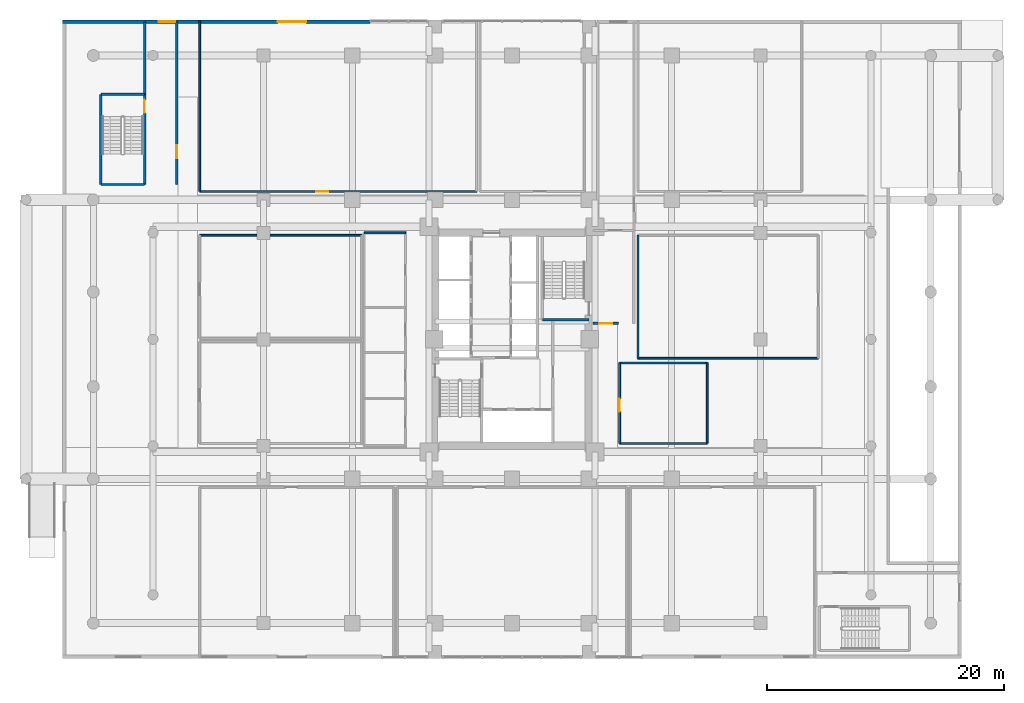
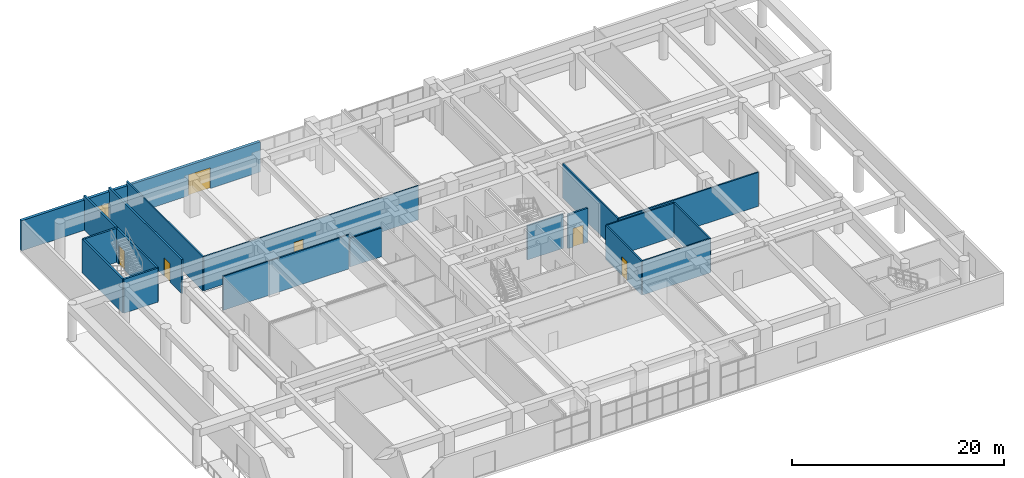
# One storey, part 15 of 24: 19 walls, 7 doors, 7 openings.
"""IFC4 building model written with IfcOpenShell, lengths in metres."""

from ifc_helpers import new_model, si_unit, direction, frame, frame_2d, origin, place, context, subcontext, project, spatial, rectangle, extrude, source, transform, mapped, material, layer, layer_set, type_object, element, fill, save


model = new_model("IFC4")

# Units and contexts
model_context = context("Model", 3, precision=1e-05, world=origin(), true_north=direction((0.0, 1.0)))
body_context = subcontext(model_context, "Body", "Model", "MODEL_VIEW")
ifc_project = project(units=[si_unit("LENGTHUNIT", "METRE"), si_unit("AREAUNIT", "SQUARE_METRE"), si_unit("VOLUMEUNIT", "CUBIC_METRE"), si_unit("PLANEANGLEUNIT", "RADIAN"), si_unit("MASSUNIT", "GRAM", prefix="KILO")], contexts=[model_context])

# Site, building, storey
site_placement = place(None, origin())
site = spatial("IfcSite", under=ifc_project, at=site_placement, CompositionType="ELEMENT")
building_placement = place(site_placement, origin())
building = spatial("IfcBuilding", under=site, at=building_placement, Name="Saelheon Loggia Tower", CompositionType="ELEMENT")
storey_placement = place(building_placement, origin())
storey = spatial("IfcBuildingStorey", under=building, at=storey_placement, Name="L00", CompositionType="ELEMENT", Elevation=0.0)

# Wall, openings, doors
ifc_material_1 = material(Name="Architectural Precast Concrete C40/50", Category="concrete")
ifc_layer_1 = layer(ifc_material_1, 0.300048828125)
ifc_layer_set_1 = layer_set([ifc_layer_1], Name="Architectural Precast Concrete C40/50")
wall_type_1 = type_object("IfcWallType", Name="Wall_Ext_Podium_300", PredefinedType="SOLIDWALL", material=ifc_layer_set_1)
wall_1_placement = place(storey_placement, frame((0.0, 53.85009765625, 0.0), z_axis=(0.0, 0.0, 1.0), x_axis=(1.0, 0.0, 0.0)))
wall_1 = element("IfcWall", 1, at=wall_1_placement, inside=storey, type_object=wall_type_1, Name="L00 Podium North-West Precast Wall", PredefinedType="SOLIDWALL", context=body_context, shape_type="SweptSolid", body=[
    extrude(rectangle(XDim=26.0, YDim=0.300048828125, at=frame_2d((13.0, 0.0))), origin(), (0.0, 0.0, 1.0), 3.47998046875),
])
opening_1_placement = place(wall_1_placement, frame((18.199951171875, 0.0, 0.0)))
opening_1 = element("IfcOpeningElement", 2, at=opening_1_placement, cuts=wall_1, Name="Opening DME-1", PredefinedType="OPENING", context=body_context, shape_type="SweptSolid", body=[
    extrude(rectangle(XDim=2.39990234375, YDim=2.39990234375, at=frame_2d((1.199951171875, 1.199951171875))), frame((0.0, 0.162109375, 0.0), z_axis=(0.0, -1.0, 0.0), x_axis=(1.0, 0.0, 0.0)), (0.0, 0.0, 1.0), 0.323974609375),
])
opening_2_placement = place(wall_1_placement, frame((8.1201171875, 0.0, 0.0)))
opening_2 = element("IfcOpeningElement", 3, at=opening_2_placement, cuts=wall_1, Name="Opening DEX-1", PredefinedType="OPENING", context=body_context, shape_type="SweptSolid", body=[
    extrude(rectangle(XDim=1.39990234375, YDim=2.199951171875, at=frame_2d((0.699951171875, 1.10009765625))), frame((0.0, 0.162109375, 0.0), z_axis=(0.0, -1.0, 0.0), x_axis=(1.0, 0.0, 0.0)), (0.0, 0.0, 1.0), 0.323974609375),
])
ifc_material_2 = material(Name="Anodised Aluminium Entrance Door", Category="aluminium")
door_type_1 = type_object("IfcDoorType", Name="Door_MainEntry_Double_2400", OperationType="DOUBLE_SWING_LEFT", PredefinedType="DOOR", material=ifc_material_2)
shared_shape_1 = source(origin(), body_context, "Body", "SweptSolid", [
    extrude(rectangle(XDim=2.39990234375, YDim=2.39990234375, at=frame_2d((1.199951171875, 1.199951171875))), frame((0.0, 0.02490234375, 0.0), z_axis=(0.0, -1.0, 0.0), x_axis=(1.0, 0.0, 0.0)), (0.0, 0.0, 1.0), 0.050048828125),
])
door_1_placement = place(opening_1_placement, origin())
door_1 = element("IfcDoor", 4, at=door_1_placement, inside=storey, type_object=door_type_1, Name="Public Housing Main Entrance", OperationType="DOUBLE_SWING_LEFT", OverallHeight=2.39990234375, OverallWidth=2.39990234375, PredefinedType="DOOR", context=body_context, shape_type="MappedRepresentation", body=[
    mapped(shared_shape_1, transform((0.0, 0.0, 0.0), scale=1.0)),
])
fill(opening_1, door_1)
ifc_material_3 = material(Name="Galvanised Steel Exit Door", Category="steel")
door_type_2 = type_object("IfcDoorType", Name="Door_ExitDischarge_1400", OperationType="NOTDEFINED", PredefinedType="DOOR", material=ifc_material_3)
shared_shape_2 = source(origin(), body_context, "Body", "SweptSolid", [
    extrude(rectangle(XDim=1.39990234375, YDim=2.199951171875, at=frame_2d((0.699951171875, 1.10009765625))), frame((0.0, 0.02490234375, 0.0), z_axis=(0.0, -1.0, 0.0), x_axis=(1.0, 0.0, 0.0)), (0.0, 0.0, 1.0), 0.050048828125),
])
door_2_placement = place(opening_2_placement, origin())
door_2 = element("IfcDoor", 5, at=door_2_placement, inside=storey, type_object=door_type_2, Name="Stair ST3 Final Street Exit Door", OperationType="SINGLE_SWING_LEFT", OverallHeight=2.199951171875, OverallWidth=1.39990234375, PredefinedType="DOOR", context=body_context, shape_type="MappedRepresentation", body=[
    mapped(shared_shape_2, transform((0.0, 0.0, 0.0), scale=1.0)),
])
fill(opening_2, door_2)

# Walls
ifc_material_4 = material(Name="Lightweight Autoclaved Aerated Concrete Block and Acoustic Gypsum", Category="concrete")
ifc_layer_2 = layer(ifc_material_4, 0.14990234375)
ifc_layer_set_2 = layer_set([ifc_layer_2], Name="Lightweight Autoclaved Aerated Concrete Block and Acoustic Gypsum")
wall_type_2 = type_object("IfcWallType", Name="Wall_Part_150", PredefinedType="PARTITIONING", material=ifc_layer_set_2)
wall_2_placement = place(storey_placement, frame((25.5, 36.0, 0.0), z_axis=(0.0, 0.0, 1.0), x_axis=(1.0, 0.0, 0.0)))
element("IfcWall", 6, at=wall_2_placement, inside=storey, type_object=wall_type_2, Name="PW-L00-WCS-N", PredefinedType="PARTITIONING", context=body_context, shape_type="SweptSolid", body=[
    extrude(rectangle(XDim=3.5, YDim=0.14990234375, at=frame_2d((1.75, 0.0))), origin(), (0.0, 0.0, 1.0), 3.2900390625),
])
for number, where, z_axis, x_axis, name in (
    (7, (47.10009765625, 18.199951171875, 0.0), (0.0, 0.0, 1.0), (1.0, 0.0, 0.0), "PW-L00-FCR-S"),
    (8, (47.10009765625, 25.0, 0.0), (0.0, 0.0, 1.0), (1.0, 0.0, 0.0), "PW-L00-FCR-N"),
):
    element("IfcWall", number, at=place(storey_placement, frame(where, z_axis=z_axis, x_axis=x_axis)), inside=storey, type_object=wall_type_2, Name=name, PredefinedType="PARTITIONING", context=body_context, shape_type="SweptSolid", body=[
        extrude(rectangle(XDim=7.39990234375, YDim=0.14990234375, at=frame_2d((3.699951171875, 0.0))), origin(), (0.0, 0.0, 1.0), 3.919921875),
    ])

# Wall, opening, door
wall_3_placement = place(storey_placement, frame((47.10009765625, 18.199951171875, 0.0), z_axis=(0.0, 0.0, 1.0), x_axis=(0.0, 1.0, 0.0)))
wall_3 = element("IfcWall", 9, at=wall_3_placement, inside=storey, type_object=wall_type_2, Name="PW-L00-FCR-W", PredefinedType="PARTITIONING", context=body_context, shape_type="SweptSolid", body=[
    extrude(rectangle(XDim=6.800048828125, YDim=0.14990234375, at=frame_2d((3.39990234375, 0.0))), origin(), (0.0, 0.0, 1.0), 3.919921875),
])
opening_3_placement = place(wall_3_placement, frame((2.69384765625, 0.0, 0.0)))
opening_3 = element("IfcOpeningElement", 10, at=opening_3_placement, cuts=wall_3, Name="Opening D-FD2", PredefinedType="OPENING", context=body_context, shape_type="SweptSolid", body=[
    extrude(rectangle(XDim=1.10009765625, YDim=2.14990234375, at=frame_2d((0.550048828125, 1.074951171875))), frame((0.0, 0.0869140625, 0.0), z_axis=(0.0, -1.0, 0.0), x_axis=(1.0, 0.0, 0.0)), (0.0, 0.0, 1.0), 0.173828125),
])
ifc_material_5 = material(Name="Galvanised Steel Fire Door", Category="steel")
door_type_3 = type_object("IfcDoorType", Name="Door_Fire_FD60_1100", OperationType="NOTDEFINED", PredefinedType="DOOR", material=ifc_material_5)
shared_shape_3 = source(origin(), body_context, "Body", "SweptSolid", [
    extrude(rectangle(XDim=1.10009765625, YDim=2.14990234375, at=frame_2d((0.550048828125, 1.074951171875))), frame((0.0, 0.02490234375, 0.0), z_axis=(0.0, -1.0, 0.0), x_axis=(1.0, 0.0, 0.0)), (0.0, 0.0, 1.0), 0.050048828125),
])
door_3_placement = place(opening_3_placement, origin())
door_3 = element("IfcDoor", 11, at=door_3_placement, inside=storey, type_object=door_type_3, Name="L00 Fire Command Centre and Disaster Room Door", OperationType="SINGLE_SWING_LEFT", OverallHeight=2.14990234375, OverallWidth=1.10009765625, PredefinedType="DOOR", context=body_context, shape_type="MappedRepresentation", body=[
    mapped(shared_shape_3, transform((0.0, 0.0, 0.0), scale=1.0)),
])
fill(opening_3, door_3)

# Wall
wall_4_placement = place(storey_placement, frame((54.5, 18.199951171875, 0.0), z_axis=(0.0, 0.0, 1.0), x_axis=(0.0, 1.0, 0.0)))
element("IfcWall", 12, at=wall_4_placement, inside=storey, type_object=wall_type_2, Name="PW-L00-FCR-E", PredefinedType="PARTITIONING", context=body_context, shape_type="SweptSolid", body=[
    extrude(rectangle(XDim=6.800048828125, YDim=0.14990234375, at=frame_2d((3.39990234375, 0.0))), origin(), (0.0, 0.0, 1.0), 3.919921875),
])

# Wall, opening, door
wall_5_placement = place(storey_placement, frame((11.60009765625, 39.5, 0.0), z_axis=(0.0, 0.0, 1.0), x_axis=(1.0, 0.0, 0.0)))
wall_5 = element("IfcWall", 13, at=wall_5_placement, inside=storey, type_object=wall_type_2, Name="PW-L00-RESLOB-S", PredefinedType="PARTITIONING", context=body_context, shape_type="SweptSolid", body=[
    extrude(rectangle(XDim=23.39990234375, YDim=0.14990234375, at=frame_2d((11.699951171875, 0.0))), origin(), (0.0, 0.0, 1.0), 3.919921875),
])
opening_4_placement = place(wall_5_placement, frame((9.84375, 0.0, 0.0)))
opening_4 = element("IfcOpeningElement", 14, at=opening_4_placement, cuts=wall_5, Name="Opening D-FD2C", PredefinedType="OPENING", context=body_context, shape_type="SweptSolid", body=[
    extrude(rectangle(XDim=1.0, YDim=2.14990234375, at=frame_2d((0.5, 1.074951171875))), frame((0.0, 0.0869140625, 0.0), z_axis=(0.0, -1.0, 0.0), x_axis=(1.0, 0.0, 0.0)), (0.0, 0.0, 1.0), 0.173828125),
])
door_type_4 = type_object("IfcDoorType", Name="Door_Fire_FD60_1000", OperationType="NOTDEFINED", PredefinedType="DOOR", material=ifc_material_5)
shared_shape_4 = source(origin(), body_context, "Body", "SweptSolid", [
    extrude(rectangle(XDim=1.0, YDim=2.14990234375, at=frame_2d((0.5, 1.074951171875))), frame((0.0, 0.02490234375, 0.0), z_axis=(0.0, -1.0, 0.0), x_axis=(1.0, 0.0, 0.0)), (0.0, 0.0, 1.0), 0.050048828125),
])
door_4_placement = place(opening_4_placement, origin())
door_4 = element("IfcDoor", 15, at=door_4_placement, inside=storey, type_object=door_type_4, Name="L00 Public Housing Resident Entrance Lobby Door", OperationType="SINGLE_SWING_RIGHT", OverallHeight=2.14990234375, OverallWidth=1.0, PredefinedType="DOOR", context=body_context, shape_type="MappedRepresentation", body=[
    mapped(shared_shape_4, transform((0.0, 0.0, 0.0), scale=1.0)),
])
fill(opening_4, door_4)

# Walls
wall_6_placement = place(storey_placement, frame((11.60009765625, 39.5, 0.0), z_axis=(0.0, 0.0, 1.0), x_axis=(0.0, 1.0, 0.0)))
element("IfcWall", 16, at=wall_6_placement, inside=storey, type_object=wall_type_2, Name="PW-L00-RESLOB-W", PredefinedType="PARTITIONING", context=body_context, shape_type="SweptSolid", body=[
    extrude(rectangle(XDim=14.39990234375, YDim=0.14990234375, at=frame_2d((7.199951171875, 0.0))), origin(), (0.0, 0.0, 1.0), 3.919921875),
])
wall_7_placement = place(storey_placement, frame((11.60009765625, 35.800048828125, 0.0), z_axis=(0.0, 0.0, 1.0), x_axis=(1.0, 0.0, 0.0)))
element("IfcWall", 17, at=wall_7_placement, inside=storey, type_object=wall_type_2, Name="PW-L00-CLIN0B-N", PredefinedType="PARTITIONING", context=body_context, shape_type="SweptSolid", body=[
    extrude(rectangle(XDim=13.699951171875, YDim=0.14990234375, at=frame_2d((6.85009765625, 0.0))), origin(), (0.0, 0.0, 1.0), 3.919921875),
])
wall_8_placement = place(storey_placement, frame((48.64990234375, 25.39990234375, 0.0), z_axis=(0.0, 0.0, 1.0), x_axis=(1.0, 0.0, 0.0)))
element("IfcWall", 18, at=wall_8_placement, inside=storey, type_object=wall_type_2, Name="PW-L00-ADMIN0-S", PredefinedType="PARTITIONING", context=body_context, shape_type="SweptSolid", body=[
    extrude(rectangle(XDim=15.25, YDim=0.14990234375, at=frame_2d((7.625, 0.0))), origin(), (0.0, 0.0, 1.0), 3.919921875),
])
wall_9_placement = place(storey_placement, frame((48.64990234375, 25.39990234375, 0.0), z_axis=(0.0, 0.0, 1.0), x_axis=(0.0, 1.0, 0.0)))
element("IfcWall", 19, at=wall_9_placement, inside=storey, type_object=wall_type_2, Name="PW-L00-ADMIN0-W", PredefinedType="PARTITIONING", context=body_context, shape_type="SweptSolid", body=[
    extrude(rectangle(XDim=10.400146484375, YDim=0.14990234375, at=frame_2d((5.2001953125, 0.0))), origin(), (0.0, 0.0, 1.0), 3.919921875),
])
ifc_material_6 = material(Name="Concrete C40/50", Category="concrete")
ifc_layer_3 = layer(ifc_material_6, 0.199951171875)
ifc_layer_set_3 = layer_set([ifc_layer_3], Name="Concrete C40/50")
wall_type_3 = type_object("IfcWallType", Name="Wall_Shaft_200", PredefinedType="PARTITIONING", material=ifc_layer_set_3)
wall_10_placement = place(storey_placement, frame((6.93994140625, 47.7099609375, 0.0), z_axis=(0.0, 0.0, 1.0), x_axis=(0.0, 1.0, 0.0)))
element("IfcWall", 20, at=wall_10_placement, inside=storey, type_object=wall_type_3, Name="L00 West Exit Passageway Inner Wall", PredefinedType="PARTITIONING", context=body_context, shape_type="SweptSolid", body=[
    extrude(rectangle(XDim=6.14013671875, YDim=0.199951171875, at=frame_2d((3.070068359375, 0.0))), origin(), (0.0, 0.0, 1.0), 3.919921875),
])

# Wall, opening, door
wall_11_placement = place(storey_placement, frame((9.64990234375, 40.090087890625, 0.0), z_axis=(0.0, 0.0, 1.0), x_axis=(0.0, 1.0, 0.0)))
wall_11 = element("IfcWall", 21, at=wall_11_placement, inside=storey, type_object=wall_type_3, Name="L00 West Exit Passageway Compartment Wall", PredefinedType="PARTITIONING", context=body_context, shape_type="SweptSolid", body=[
    extrude(rectangle(XDim=13.760009765625, YDim=0.199951171875, at=frame_2d((6.8798828125, 0.0))), origin(), (0.0, 0.0, 1.0), 3.919921875),
])
opening_5_placement = place(wall_11_placement, frame((3.300048828125, 0.0, 0.0), z_axis=(0.0, 0.0, 1.0), x_axis=(-1.0, 0.0, 0.0)))
opening_5 = element("IfcOpeningElement", 22, at=opening_5_placement, cuts=wall_11, Name="Opening D-FD2", PredefinedType="OPENING", context=body_context, shape_type="SweptSolid", body=[
    extrude(rectangle(XDim=1.10009765625, YDim=2.14990234375, at=frame_2d((0.550048828125, 1.074951171875))), frame((0.0, 0.112060546875, 0.0), z_axis=(0.0, -1.0, 0.0), x_axis=(1.0, 0.0, 0.0)), (0.0, 0.0, 1.0), 0.223876953125),
])
door_5_placement = place(opening_5_placement, origin())
door_5 = element("IfcDoor", 23, at=door_5_placement, inside=storey, type_object=door_type_3, Name="L00 West Exit Passageway Door", OperationType="SINGLE_SWING_LEFT", OverallHeight=2.14990234375, OverallWidth=1.10009765625, PredefinedType="DOOR", context=body_context, shape_type="MappedRepresentation", body=[
    mapped(shared_shape_3, transform((0.0, 0.0, 0.0), scale=1.0)),
])
fill(opening_5, door_5)

wall_12_placement = place(storey_placement, frame((44.840087890625, 28.35009765625, 0.0), z_axis=(0.0, 0.0, 1.0), x_axis=(1.0, 0.0, 0.0)))
wall_12 = element("IfcWall", 24, at=wall_12_placement, inside=storey, type_object=wall_type_3, Name="L00 Core East Exit Vestibule South Wall", PredefinedType="PARTITIONING", context=body_context, shape_type="SweptSolid", body=[
    extrude(rectangle(XDim=2.159912109375, YDim=0.199951171875, at=frame_2d((1.080078125, 0.0))), origin(), (0.0, 0.0, 1.0), 3.919921875),
])
opening_6_placement = place(wall_12_placement, frame((0.550048828125, 0.0, 0.0)))
opening_6 = element("IfcOpeningElement", 25, at=opening_6_placement, cuts=wall_12, Name="Opening D-FD2", PredefinedType="OPENING", context=body_context, shape_type="SweptSolid", body=[
    extrude(rectangle(XDim=1.10009765625, YDim=2.14990234375, at=frame_2d((0.550048828125, 1.074951171875))), frame((0.0, 0.112060546875, 0.0), z_axis=(0.0, -1.0, 0.0), x_axis=(1.0, 0.0, 0.0)), (0.0, 0.0, 1.0), 0.223876953125),
])
door_6_placement = place(opening_6_placement, origin())
door_6 = element("IfcDoor", 26, at=door_6_placement, inside=storey, type_object=door_type_3, Name="L00 Core East Exit Vestibule Door", OperationType="SINGLE_SWING_LEFT", OverallHeight=2.14990234375, OverallWidth=1.10009765625, PredefinedType="DOOR", context=body_context, shape_type="MappedRepresentation", body=[
    mapped(shared_shape_3, transform((0.0, 0.0, 0.0), scale=1.0)),
])
fill(opening_6, door_6)

# Walls
ifc_material_7 = material(Name="Concrete C45/55", Category="concrete")
ifc_layer_4 = layer(ifc_material_7, 0.199951171875)
ifc_layer_set_4 = layer_set([ifc_layer_4], Name="Concrete C45/55")
wall_type_4 = type_object("IfcWallType", Name="Wall_StairShaft_RC200", PredefinedType="SOLIDWALL", material=ifc_layer_set_4)
wall_13_placement = place(storey_placement, frame((40.570068359375, 28.64990234375, 0.0), z_axis=(0.0, 0.0, 1.0), x_axis=(1.0, 0.0, 0.0)))
element("IfcWall", 27, at=wall_13_placement, inside=storey, type_object=wall_type_4, Name="L00 Stair ST2 South Wall", PredefinedType="SOLIDWALL", context=body_context, shape_type="SweptSolid", body=[
    extrude(rectangle(XDim=3.929931640625, YDim=0.199951171875, at=frame_2d((1.96484375, 0.0))), origin(), (0.0, 0.0, 1.0), 3.919921875),
])
wall_14_placement = place(storey_placement, frame((3.239990234375, 40.090087890625, 0.0), z_axis=(0.0, 0.0, 1.0), x_axis=(0.0, 1.0, 0.0)))
element("IfcWall", 28, at=wall_14_placement, inside=storey, type_object=wall_type_4, Name="L00 ST3 Shaft West Wall", PredefinedType="SOLIDWALL", context=body_context, shape_type="SweptSolid", body=[
    extrude(rectangle(XDim=7.619873046875, YDim=0.199951171875, at=frame_2d((3.81005859375, 0.0))), origin(), (0.0, 0.0, 1.0), 3.919921875),
])

# Wall, opening, door
wall_15_placement = place(storey_placement, frame((6.93994140625, 40.090087890625, 0.0), z_axis=(0.0, 0.0, 1.0), x_axis=(0.0, 1.0, 0.0)))
wall_15 = element("IfcWall", 29, at=wall_15_placement, inside=storey, type_object=wall_type_4, Name="L00 ST3 Shaft East Wall", PredefinedType="SOLIDWALL", context=body_context, shape_type="SweptSolid", body=[
    extrude(rectangle(XDim=7.619873046875, YDim=0.199951171875, at=frame_2d((3.81005859375, 0.0))), origin(), (0.0, 0.0, 1.0), 3.919921875),
])
opening_7_placement = place(wall_15_placement, frame((7.150146484375, 0.0, 0.0), z_axis=(0.0, 0.0, 1.0), x_axis=(-1.0, 0.0, 0.0)))
opening_7 = element("IfcOpeningElement", 30, at=opening_7_placement, cuts=wall_15, Name="Opening D-FD2", PredefinedType="OPENING", context=body_context, shape_type="SweptSolid", body=[
    extrude(rectangle(XDim=1.10009765625, YDim=2.14990234375, at=frame_2d((0.550048828125, 1.074951171875))), frame((0.0, 0.112060546875, 0.0), z_axis=(0.0, -1.0, 0.0), x_axis=(1.0, 0.0, 0.0)), (0.0, 0.0, 1.0), 0.223876953125),
])
door_7_placement = place(opening_7_placement, origin())
door_7 = element("IfcDoor", 31, at=door_7_placement, inside=storey, type_object=door_type_3, Name="L00 Escape Stair ST3 Door", OperationType="SINGLE_SWING_RIGHT", OverallHeight=2.14990234375, OverallWidth=1.10009765625, PredefinedType="DOOR", context=body_context, shape_type="MappedRepresentation", body=[
    mapped(shared_shape_3, transform((0.0, 0.0, 0.0), scale=1.0)),
])
fill(opening_7, door_7)

# Walls
for number, where, z_axis, x_axis, name in (
    (32, (3.239990234375, 40.090087890625, 0.0), (0.0, 0.0, 1.0), (1.0, 0.0, 0.0), "L00 ST3 Shaft South Wall"),
    (33, (3.239990234375, 47.7099609375, 0.0), (0.0, 0.0, 1.0), (1.0, 0.0, 0.0), "L00 ST3 Shaft North Wall"),
):
    element("IfcWall", number, at=place(storey_placement, frame(where, z_axis=z_axis, x_axis=x_axis)), inside=storey, type_object=wall_type_4, Name=name, PredefinedType="SOLIDWALL", context=body_context, shape_type="SweptSolid", body=[
        extrude(rectangle(XDim=3.699951171875, YDim=0.199951171875, at=frame_2d((1.85009765625, 0.0))), origin(), (0.0, 0.0, 1.0), 3.919921875),
    ])

save(model, "model.ifc")
